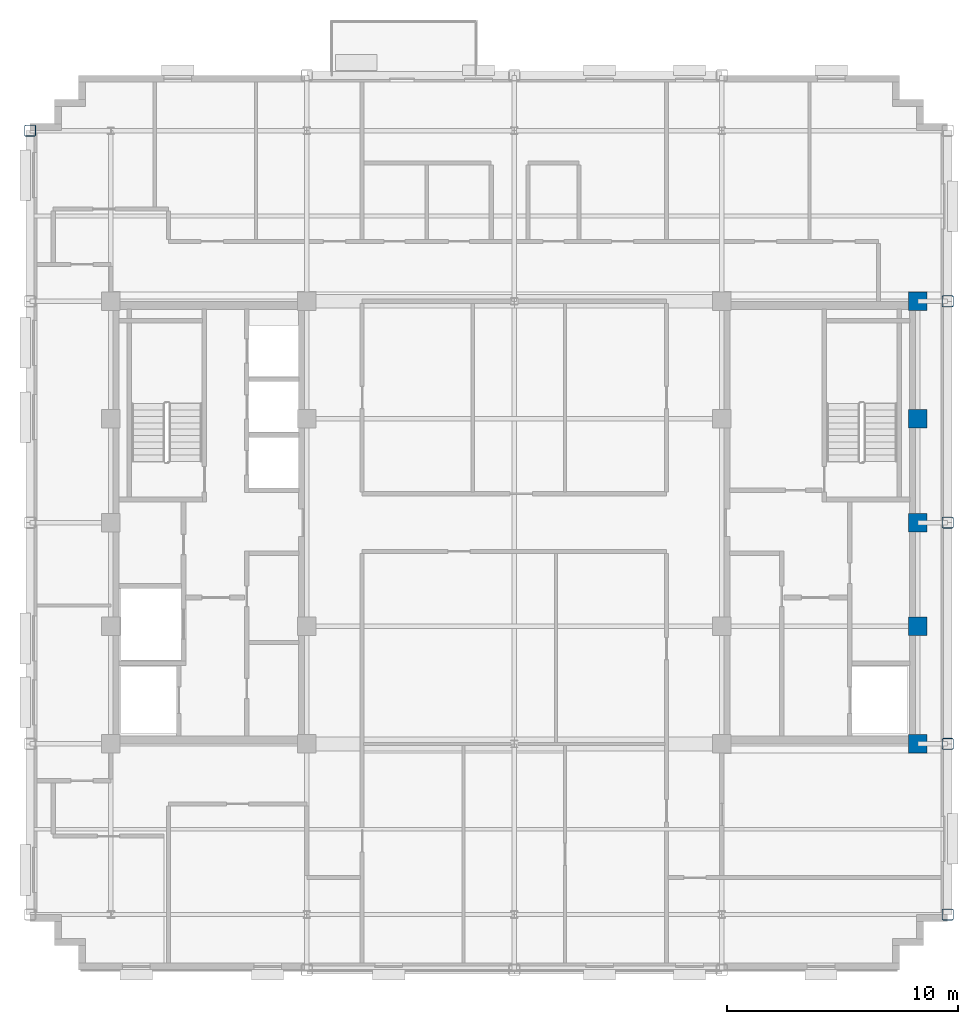
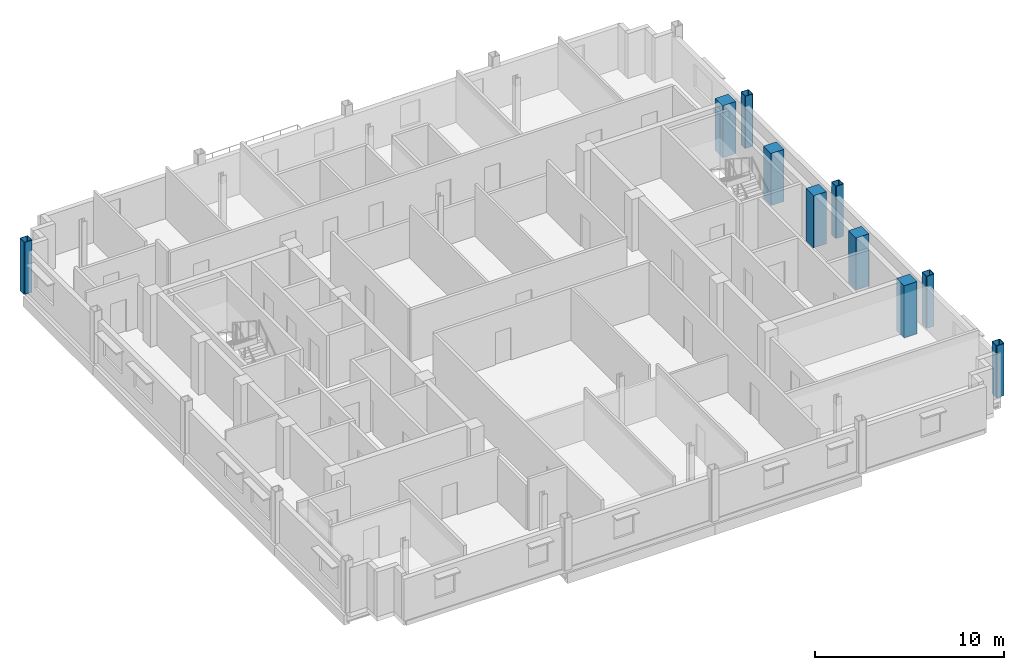
# One storey, part 2 of 14: 10 columns.
"""IFC4 building model written with IfcOpenShell, lengths in metres."""

from ifc_helpers import new_model, si_unit, direction, frame, origin, origin_2d, place, context, subcontext, project, spatial, rectangle, hollow_rectangle, extrude, material, material_profile, profile_set, type_object, element, save


model = new_model("IFC4")

# Units and contexts
model_context = context("Model", 3, precision=1e-05, world=origin(), true_north=direction((0.0, 1.0)))
body_context = subcontext(model_context, "Body", "Model", "MODEL_VIEW")
ifc_project = project(units=[si_unit("LENGTHUNIT", "METRE"), si_unit("AREAUNIT", "SQUARE_METRE"), si_unit("VOLUMEUNIT", "CUBIC_METRE"), si_unit("PLANEANGLEUNIT", "RADIAN"), si_unit("MASSUNIT", "GRAM", prefix="KILO")], contexts=[model_context])

# Site, building, storey
site_placement = place(None, origin())
site = spatial("IfcSite", under=ifc_project, at=site_placement, CompositionType="ELEMENT")
building_placement = place(site_placement, origin())
building = spatial("IfcBuilding", under=site, at=building_placement, Name="Nuvemarco Arch Tower", CompositionType="ELEMENT")
storey_placement = place(building_placement, frame((0.0, 0.0, 272.550048828125)))
storey = spatial("IfcBuildingStorey", under=building, at=storey_placement, Name="L72", CompositionType="ELEMENT", Elevation=272.550048828125)

# Columns
ifc_material_1 = material(Name="Concrete C50/60", Category="concrete")
ifc_material_profile_1 = material_profile(ifc_material_1, rectangle(XDim=0.800048828125, YDim=0.800048828125, at=origin_2d()), Name="RC-COL-800x800")
ifc_profile_set_1 = profile_set([ifc_material_profile_1], Name="Concrete C50/60")
column_type_1 = type_object("IfcColumnType", Name="COL-CORE-800", PredefinedType="COLUMN", material=ifc_profile_set_1)
for number, where, z_axis, x_axis, name in (
    (1, (17.5, -9.60009765625, 0.0), (0.0, 0.0, 1.0), (1.0, 0.0, 0.0), "L72 column CC_+17.5_-9.6"),
    (2, (17.5, -4.5, 0.0), (0.0, 0.0, 1.0), (1.0, 0.0, 0.0), "L72 column CC_+17.5_-4.5"),
    (3, (17.5, 4.5, 0.0), (0.0, 0.0, 1.0), (1.0, 0.0, 0.0), "L72 column CC_+17.5_+4.5"),
    (4, (17.5, 9.60009765625, 0.0), (0.0, 0.0, 1.0), (1.0, 0.0, 0.0), "L72 column CC_+17.5_+9.6"),
    (5, (17.5, 0.0, 0.0), (0.0, 0.0, 1.0), (1.0, 0.0, 0.0), "L72 column CC_+17.5_+0.0"),
):
    element("IfcColumn", number, at=place(storey_placement, frame(where, z_axis=z_axis, x_axis=x_axis)), inside=storey, type_object=column_type_1, Name=name, PredefinedType="COLUMN", context=body_context, shape_type="SweptSolid", body=[
        extrude(rectangle(XDim=0.800048828125, YDim=0.800048828125, at=origin_2d()), origin(), (0.0, 0.0, 1.0), 3.369873046875),
    ])
ifc_material_2 = material(Name="Steel S355", Category="steel")
ifc_material_profile_2 = material_profile(ifc_material_2, hollow_rectangle(XDim=0.5, YDim=0.5, WallThickness=0.031982421875, InnerFilletRadius=0.031982421875, OuterFilletRadius=0.06396484375, at=origin_2d()), Name="SHS500x500x32")
ifc_profile_set_2 = profile_set([ifc_material_profile_2], Name="Steel S355")
column_type_2 = type_object("IfcColumnType", Name="COL-EXO-500", PredefinedType="COLUMN", material=ifc_profile_set_2)
for number, where, z_axis, x_axis, name in (
    (6, (-21.0, 17.0, 0.0), (0.0, 0.0, 1.0), (1.0, 0.0, 0.0), "L72 column CX_-21.0_+17.0"),
    (7, (18.800048828125, -17.0, 0.0), (0.0, 0.0, 1.0), (1.0, 0.0, 0.0), "L72 column CX_+18.8_-17.0"),
    (8, (18.800048828125, -9.60009765625, 0.0), (0.0, 0.0, 1.0), (1.0, 0.0, 0.0), "L72 column CX_+18.8_-9.6"),
    (9, (18.800048828125, 0.0, 0.0), (0.0, 0.0, 1.0), (1.0, 0.0, 0.0), "L72 column CX_+18.8_+0.0"),
    (10, (18.800048828125, 9.60009765625, 0.0), (0.0, 0.0, 1.0), (1.0, 0.0, 0.0), "L72 column CX_+18.8_+9.6"),
):
    element("IfcColumn", number, at=place(storey_placement, frame(where, z_axis=z_axis, x_axis=x_axis)), inside=storey, type_object=column_type_2, Name=name, PredefinedType="COLUMN", context=body_context, shape_type="SweptSolid", body=[
        extrude(hollow_rectangle(XDim=0.5, YDim=0.5, WallThickness=0.031982421875, InnerFilletRadius=0.031982421875, OuterFilletRadius=0.06396484375, at=origin_2d()), origin(), (0.0, 0.0, 1.0), 3.369873046875),
    ])

save(model, "model.ifc")
